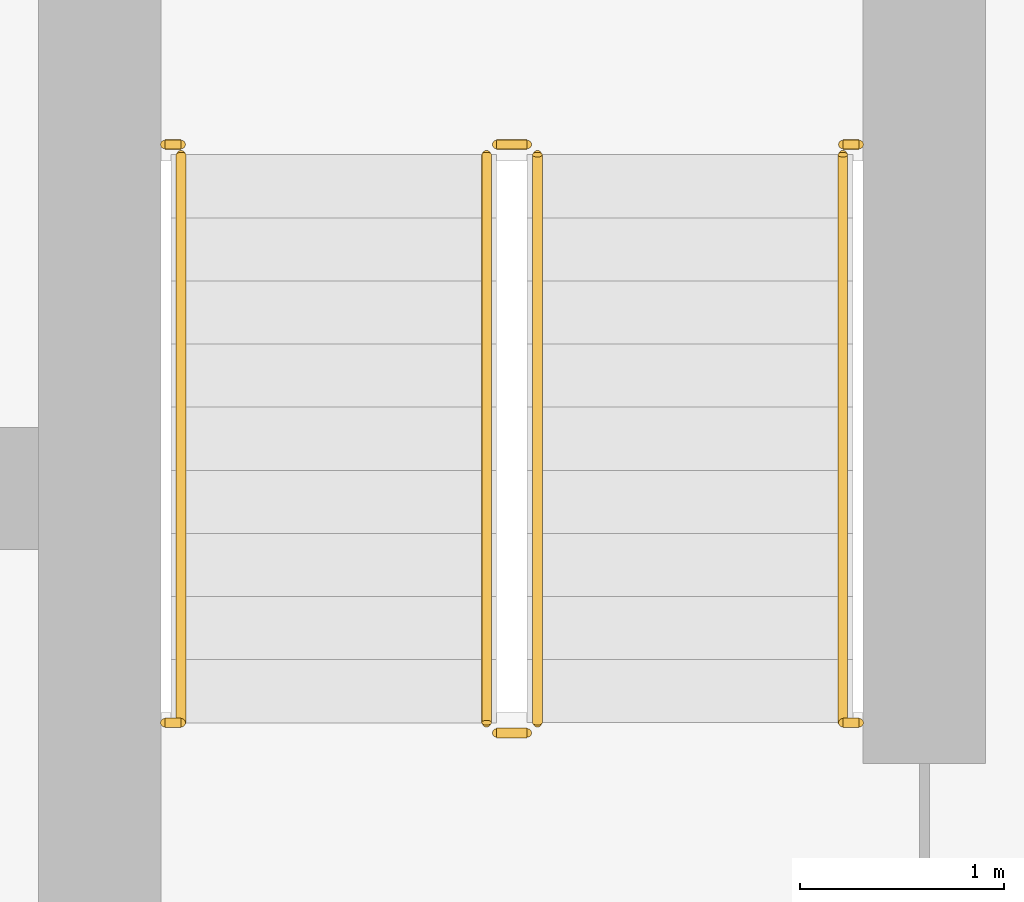
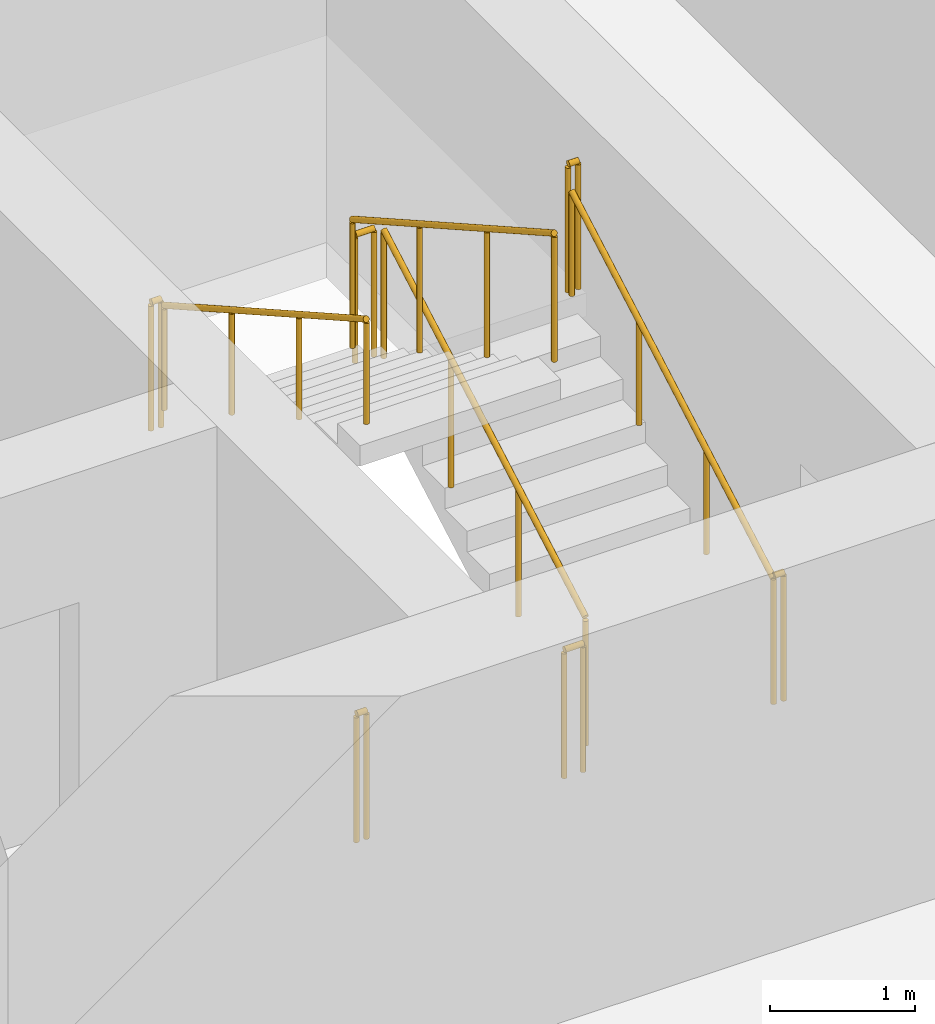
# One storey, part 20 of 22: 10 railings.
"""IFC4 building model written with IfcOpenShell, lengths in metres."""

from ifc_helpers import new_model, si_unit, direction, frame, origin, origin_2d, place, context, subcontext, project, spatial, circle, extrude, material, type_object, element, save


model = new_model("IFC4")

# Units and contexts
model_context = context("Model", 3, precision=1e-05, world=origin(), true_north=direction((0.0, 1.0)))
body_context = subcontext(model_context, "Body", "Model", "MODEL_VIEW")
ifc_project = project(units=[si_unit("LENGTHUNIT", "METRE"), si_unit("AREAUNIT", "SQUARE_METRE"), si_unit("VOLUMEUNIT", "CUBIC_METRE"), si_unit("PLANEANGLEUNIT", "RADIAN"), si_unit("MASSUNIT", "GRAM", prefix="KILO")], contexts=[model_context])

# Site, building, storey
site_placement = place(None, origin())
site = spatial("IfcSite", under=ifc_project, at=site_placement, CompositionType="ELEMENT")
building_placement = place(site_placement, origin())
building = spatial("IfcBuilding", under=site, at=building_placement, Name="Madar Terraces", CompositionType="ELEMENT")
storey_placement = place(building_placement, frame((0.0, 0.0, 166.5)))
storey = spatial("IfcBuildingStorey", under=building, at=storey_placement, Name="L43", CompositionType="ELEMENT", Elevation=166.5)

# Railings
ifc_material_1 = material(Name="Stainless steel railing", Category="steel")
railing_type_1 = type_object("IfcRailingType", Name="Stair guard 1100", PredefinedType="GUARDRAIL", material=ifc_material_1)
railing_1_placement = place(storey_placement, frame((41.449951171875, 17.60009765625, 0.175048828125)))
element("IfcRailing", 1, at=railing_1_placement, inside=storey, type_object=railing_type_1, Name="L43 ST3 stair guard 1", PredefinedType="GUARDRAIL", context=body_context, shape_type="SweptSolid", body=[
    extrude(circle(Radius=0.02392578125, at=origin_2d()), frame((0.0, 0.0, 1.076171875), z_axis=(0.0, 0.870815363784, 0.491610213684), x_axis=(-1.0, 0.0, 0.0)), (0.0, 0.0, 1.0), 3.20361328125),
    extrude(circle(Radius=0.02099609375, at=origin_2d()), origin(), (0.0, 0.0, 1.0), 1.052001953125),
    extrude(circle(Radius=0.02099609375, at=origin_2d()), frame((0.0, 0.929931640625, 0.52490234375)), (0.0, 0.0, 1.0), 1.052001953125),
    extrude(circle(Radius=0.02099609375, at=origin_2d()), frame((0.0, 1.85986328125, 1.050048828125)), (0.0, 0.0, 1.0), 1.052001953125),
    extrude(circle(Radius=0.02099609375, at=origin_2d()), frame((0.0, 2.789794921875, 1.574951171875)), (0.0, 0.0, 1.0), 1.052001953125),
])
railing_2_placement = place(storey_placement, frame((41.39990234375, 20.43994140625, 1.75)))
element("IfcRailing", 2, at=railing_2_placement, inside=storey, type_object=railing_type_1, Name="L43 ST3 stair guard 2", PredefinedType="GUARDRAIL", context=body_context, shape_type="SweptSolid", body=[
    extrude(circle(Radius=0.02392578125, at=origin_2d()), frame((0.0, 0.0, 1.076171875), z_axis=(-1.0, 0.0, 0.0), x_axis=(0.0, -1.0, 0.0)), (0.0, 0.0, 1.0), 0.14990234375),
    extrude(circle(Radius=0.02099609375, at=origin_2d()), origin(), (0.0, 0.0, 1.0), 1.052001953125),
    extrude(circle(Radius=0.02099609375, at=origin_2d()), frame((-0.14990234375, 0.0, 0.0)), (0.0, 0.0, 1.0), 1.052001953125),
])
railing_3_placement = place(storey_placement, frame((41.199951171875, 20.389892578125, 1.925048828125)))
element("IfcRailing", 3, at=railing_3_placement, inside=storey, type_object=railing_type_1, Name="L43 ST3 stair guard 3", PredefinedType="GUARDRAIL", context=body_context, shape_type="SweptSolid", body=[
    extrude(circle(Radius=0.02392578125, at=origin_2d()), frame((0.0, 0.0, 1.076171875), z_axis=(0.0, -0.870815363784, 0.491610213684), x_axis=(1.0, 0.0, 0.0)), (0.0, 0.0, 1.0), 3.20361328125),
    extrude(circle(Radius=0.02099609375, at=origin_2d()), origin(), (0.0, 0.0, 1.0), 1.052001953125),
    extrude(circle(Radius=0.02099609375, at=origin_2d()), frame((0.0, -0.929931640625, 0.52490234375)), (0.0, 0.0, 1.0), 1.052001953125),
    extrude(circle(Radius=0.02099609375, at=origin_2d()), frame((0.0, -1.85986328125, 1.050048828125)), (0.0, 0.0, 1.0), 1.052001953125),
    extrude(circle(Radius=0.02099609375, at=origin_2d()), frame((0.0, -2.789794921875, 1.574951171875)), (0.0, 0.0, 1.0), 1.052001953125),
])
railing_4_placement = place(storey_placement, frame((41.39990234375, 17.550048828125, 0.0)))
element("IfcRailing", 4, at=railing_4_placement, inside=storey, type_object=railing_type_1, Name="L43 ST3 stair guard 4", PredefinedType="GUARDRAIL", context=body_context, shape_type="SweptSolid", body=[
    extrude(circle(Radius=0.02392578125, at=origin_2d()), frame((0.0, 0.0, 1.076171875), z_axis=(-1.0, 0.0, 0.0), x_axis=(0.0, -1.0, 0.0)), (0.0, 0.0, 1.0), 0.14990234375),
    extrude(circle(Radius=0.02099609375, at=origin_2d()), origin(), (0.0, 0.0, 1.0), 1.052001953125),
    extrude(circle(Radius=0.02099609375, at=origin_2d()), frame((-0.14990234375, 0.0, 0.0)), (0.0, 0.0, 1.0), 1.052001953125),
])
railing_5_placement = place(storey_placement, frame((39.6201171875, 20.43994140625, 1.75)))
element("IfcRailing", 5, at=railing_5_placement, inside=storey, type_object=railing_type_1, Name="L43 stair guard seat 1", PredefinedType="GUARDRAIL", context=body_context, shape_type="SweptSolid", body=[
    extrude(circle(Radius=0.02392578125, at=origin_2d()), frame((0.0, 0.0, 1.076171875), z_axis=(1.0, 0.0, 0.0), x_axis=(0.0, 1.0, 0.0)), (0.0, 0.0, 1.0), 0.079833984375),
    extrude(circle(Radius=0.02099609375, at=origin_2d()), origin(), (0.0, 0.0, 1.0), 1.052001953125),
    extrude(circle(Radius=0.02099609375, at=origin_2d()), frame((0.079833984375, 0.0, 0.0)), (0.0, 0.0, 1.0), 1.052001953125),
])
railing_6_placement = place(storey_placement, frame((42.949951171875, 20.43994140625, 1.75)))
element("IfcRailing", 6, at=railing_6_placement, inside=storey, type_object=railing_type_1, Name="L43 stair guard seat 2", PredefinedType="GUARDRAIL", context=body_context, shape_type="SweptSolid", body=[
    extrude(circle(Radius=0.02392578125, at=origin_2d()), frame((0.0, 0.0, 1.076171875), z_axis=(1.0, 0.0, 0.0), x_axis=(0.0, 1.0, 0.0)), (0.0, 0.0, 1.0), 0.080078125),
    extrude(circle(Radius=0.02099609375, at=origin_2d()), origin(), (0.0, 0.0, 1.0), 1.052001953125),
    extrude(circle(Radius=0.02099609375, at=origin_2d()), frame((0.080078125, 0.0, 0.0)), (0.0, 0.0, 1.0), 1.052001953125),
])
railing_7_placement = place(storey_placement, frame((39.6201171875, 17.60009765625, 0.0)))
element("IfcRailing", 7, at=railing_7_placement, inside=storey, type_object=railing_type_1, Name="L43 stair guard floor 1", PredefinedType="GUARDRAIL", context=body_context, shape_type="SweptSolid", body=[
    extrude(circle(Radius=0.02392578125, at=origin_2d()), frame((0.0, 0.0, 1.076171875), z_axis=(1.0, 0.0, 0.0), x_axis=(0.0, 1.0, 0.0)), (0.0, 0.0, 1.0), 0.079833984375),
    extrude(circle(Radius=0.02099609375, at=origin_2d()), origin(), (0.0, 0.0, 1.0), 1.052001953125),
    extrude(circle(Radius=0.02099609375, at=origin_2d()), frame((0.079833984375, 0.0, 0.0)), (0.0, 0.0, 1.0), 1.052001953125),
])
railing_8_placement = place(storey_placement, frame((42.949951171875, 17.60009765625, 0.0)))
element("IfcRailing", 8, at=railing_8_placement, inside=storey, type_object=railing_type_1, Name="L43 stair guard floor 2", PredefinedType="GUARDRAIL", context=body_context, shape_type="SweptSolid", body=[
    extrude(circle(Radius=0.02392578125, at=origin_2d()), frame((0.0, 0.0, 1.076171875), z_axis=(1.0, 0.0, 0.0), x_axis=(0.0, 1.0, 0.0)), (0.0, 0.0, 1.0), 0.080078125),
    extrude(circle(Radius=0.02099609375, at=origin_2d()), origin(), (0.0, 0.0, 1.0), 1.052001953125),
    extrude(circle(Radius=0.02099609375, at=origin_2d()), frame((0.080078125, 0.0, 0.0)), (0.0, 0.0, 1.0), 1.052001953125),
])
ifc_material_2 = material(Name="Stainless steel railing", Category="steel")
railing_type_2 = type_object("IfcRailingType", Name="Stair handrail 900", PredefinedType="HANDRAIL", material=ifc_material_2)
railing_9_placement = place(storey_placement, frame((42.949951171875, 17.60009765625, 0.175048828125)))
element("IfcRailing", 9, at=railing_9_placement, inside=storey, type_object=railing_type_2, Name="L43 ST3 stair handrail 1", PredefinedType="HANDRAIL", context=body_context, shape_type="SweptSolid", body=[
    extrude(circle(Radius=0.02392578125, at=origin_2d()), frame((0.0, 0.0, 0.8759765625), z_axis=(0.0, 0.870815363784, 0.491610213684), x_axis=(-1.0, 0.0, 0.0)), (0.0, 0.0, 1.0), 3.20361328125),
    extrude(circle(Radius=0.02099609375, at=origin_2d()), origin(), (0.0, 0.0, 1.0), 0.851806640625),
    extrude(circle(Radius=0.02099609375, at=origin_2d()), frame((0.0, 0.929931640625, 0.52490234375)), (0.0, 0.0, 1.0), 0.851806640625),
    extrude(circle(Radius=0.02099609375, at=origin_2d()), frame((0.0, 1.85986328125, 1.050048828125)), (0.0, 0.0, 1.0), 0.851806640625),
    extrude(circle(Radius=0.02099609375, at=origin_2d()), frame((0.0, 2.789794921875, 1.574951171875)), (0.0, 0.0, 1.0), 0.851806640625),
])
railing_10_placement = place(storey_placement, frame((39.699951171875, 20.389892578125, 1.925048828125)))
element("IfcRailing", 10, at=railing_10_placement, inside=storey, type_object=railing_type_2, Name="L43 ST3 stair handrail 2", PredefinedType="HANDRAIL", context=body_context, shape_type="SweptSolid", body=[
    extrude(circle(Radius=0.02392578125, at=origin_2d()), frame((0.0, 0.0, 0.8759765625), z_axis=(0.0, -0.870815363784, 0.491610213684), x_axis=(1.0, 0.0, 0.0)), (0.0, 0.0, 1.0), 3.20361328125),
    extrude(circle(Radius=0.02099609375, at=origin_2d()), origin(), (0.0, 0.0, 1.0), 0.851806640625),
    extrude(circle(Radius=0.02099609375, at=origin_2d()), frame((0.0, -0.929931640625, 0.52490234375)), (0.0, 0.0, 1.0), 0.851806640625),
    extrude(circle(Radius=0.02099609375, at=origin_2d()), frame((0.0, -1.85986328125, 1.050048828125)), (0.0, 0.0, 1.0), 0.851806640625),
    extrude(circle(Radius=0.02099609375, at=origin_2d()), frame((0.0, -2.789794921875, 1.574951171875)), (0.0, 0.0, 1.0), 0.851806640625),
])

save(model, "model.ifc")
